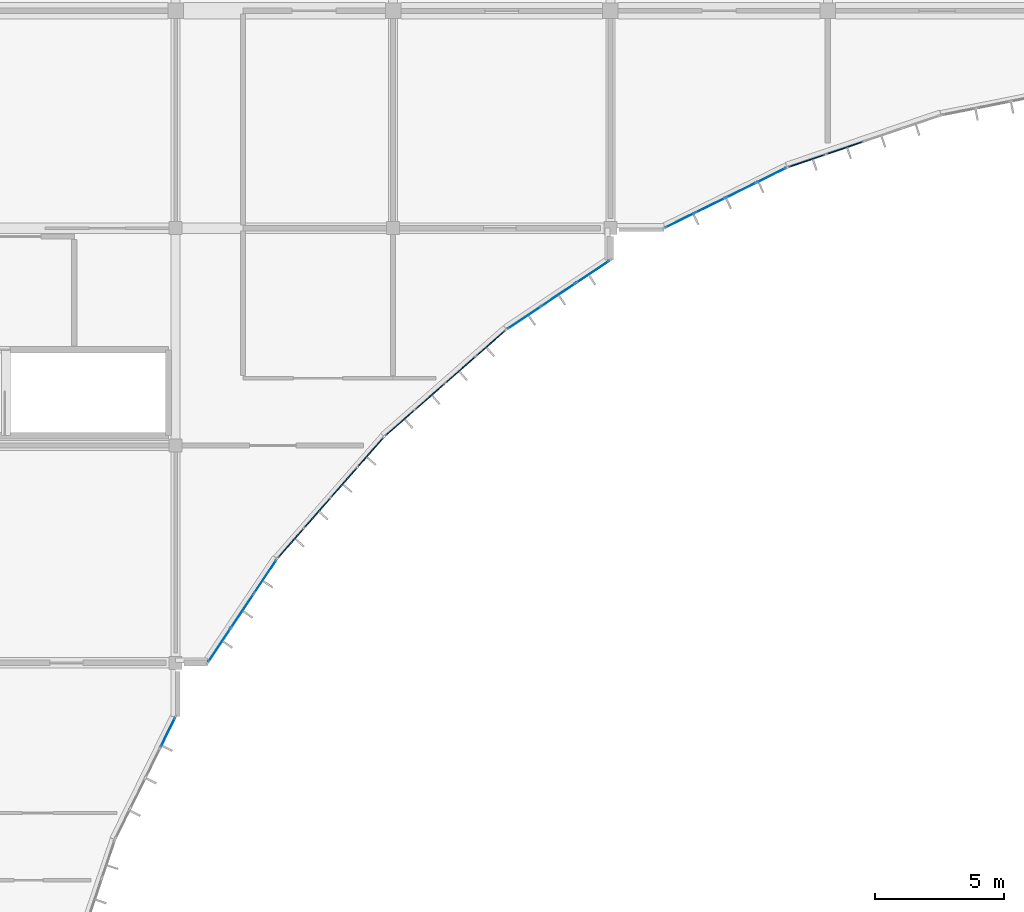
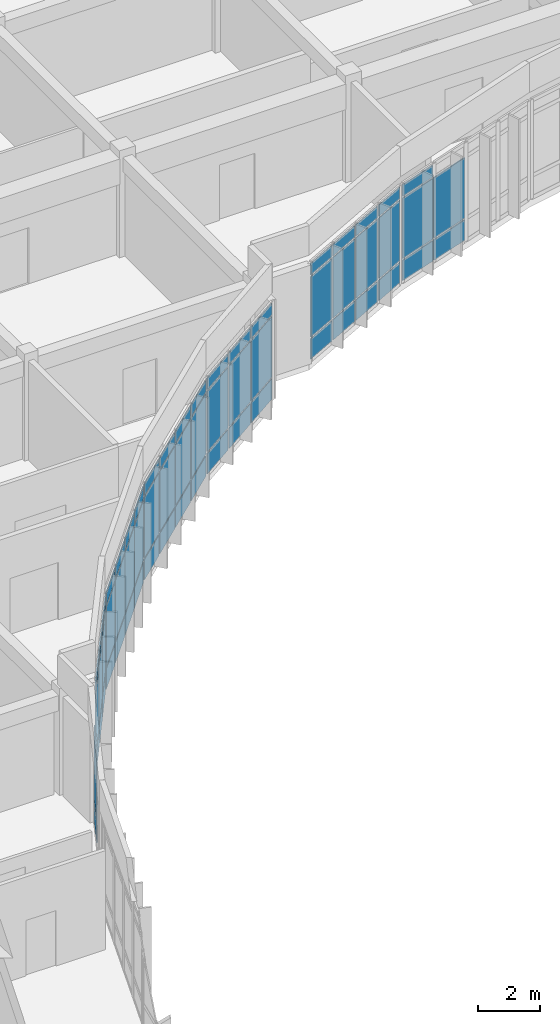
# One storey, part 73 of 119: 62 plates, 7 elements without a shape of their own.
"""IFC4 building model written with IfcOpenShell, lengths in metres."""

from ifc_helpers import new_model, si_unit, direction, frame, origin, origin_2d, place, context, subcontext, project, spatial, rectangle, extrude, material, layer, layer_set, type_object, element, aggregate, save


model = new_model("IFC4")

# Units and contexts
model_context = context("Model", 3, precision=1e-05, world=origin(), true_north=direction((0.0, 1.0)))
body_context = subcontext(model_context, "Body", "Model", "MODEL_VIEW")
ifc_project = project(units=[si_unit("LENGTHUNIT", "METRE"), si_unit("AREAUNIT", "SQUARE_METRE"), si_unit("VOLUMEUNIT", "CUBIC_METRE"), si_unit("PLANEANGLEUNIT", "RADIAN"), si_unit("MASSUNIT", "GRAM", prefix="KILO")], contexts=[model_context])

# Site, building, storey
site_placement = place(None, origin())
site = spatial("IfcSite", under=ifc_project, at=site_placement, CompositionType="ELEMENT")
building_placement = place(site_placement, origin())
building = spatial("IfcBuilding", under=site, at=building_placement, Name="Bramfleet General Hospital", CompositionType="ELEMENT")
storey_placement = place(building_placement, frame((0.0, 0.0, 14.39990234375)))
storey = spatial("IfcBuildingStorey", under=building, at=storey_placement, Name="L03", CompositionType="ELEMENT", Elevation=14.39990234375)

# Curtain wall, plates
ifc_material_1 = material(Name="Anodised aluminium and low-E triple glazing", Category="aluminium")
ifc_layer_1 = layer(ifc_material_1, 0.179931640625, Name="CWT-CW-09")
ifc_layer_set_1 = layer_set([ifc_layer_1], Name="Anodised aluminium and low-E triple glazing")
curtain_wall_type_1 = type_object("IfcCurtainWallType", Name="CWT-CW-09", PredefinedType="USERDEFINED", material=ifc_layer_set_1)
curtain_wall_1_placement = place(storey_placement, origin())
curtain_wall_1 = element("IfcCurtainWall", 1, at=curtain_wall_1_placement, inside=storey, type_object=curtain_wall_type_1, Name="L03 Curtain Wall 153", ObjectType="Unitised curtain wall", PredefinedType="USERDEFINED")
ifc_material_2 = material(Name="Low-E laminated safety glass", Category="glass")
ifc_layer_2 = layer(ifc_material_2, 0.028076171875, Name="CWP-GLZ-1")
ifc_layer_set_2 = layer_set([ifc_layer_2], Name="Low-E laminated safety glass")
plate_type_1 = type_object("IfcPlateType", Name="CWP-GLZ-1", PredefinedType="CURTAIN_PANEL", material=ifc_layer_set_2)
plate_1_placement = place(storey_placement, frame((157.420654296875, 86.044921875, 0.06494140625), z_axis=(0.0, 0.0, 1.0), x_axis=(-0.896864723513, -0.442304948782, 0.0)))
plate_1 = element("IfcPlate", 2, at=plate_1_placement, type_object=plate_type_1, Name="CW-09 panel 1.1", PredefinedType="CURTAIN_PANEL", context=body_context, shape_type="SweptSolid", body=[
    extrude(rectangle(XDim=1.220947265625, YDim=0.028076171875, at=origin_2d()), origin(), (0.0, 0.0, 1.0), 0.802490234375),
])
plate_2_placement = place(storey_placement, frame((157.420654296875, 86.044921875, 0.9326171875), z_axis=(0.0, 0.0, 1.0), x_axis=(-0.896864723513, -0.442304948782, 0.0)))
plate_2 = element("IfcPlate", 3, at=plate_2_placement, type_object=plate_type_1, Name="CW-09 panel 1.2", PredefinedType="CURTAIN_PANEL", context=body_context, shape_type="SweptSolid", body=[
    extrude(rectangle(XDim=1.220947265625, YDim=0.028076171875, at=origin_2d()), origin(), (0.0, 0.0, 1.0), 2.375),
])
plate_3_placement = place(storey_placement, frame((157.420654296875, 86.044921875, 3.37255859375), z_axis=(0.0, 0.0, 1.0), x_axis=(-0.896864723513, -0.442304948782, 0.0)))
plate_3 = element("IfcPlate", 4, at=plate_3_placement, type_object=plate_type_1, Name="CW-09 panel 1.3", PredefinedType="CURTAIN_PANEL", context=body_context, shape_type="SweptSolid", body=[
    extrude(rectangle(XDim=1.220947265625, YDim=0.028076171875, at=origin_2d()), origin(), (0.0, 0.0, 1.0), 0.452392578125),
])
plate_4_placement = place(storey_placement, frame((156.2470703125, 85.46630859375, 0.06494140625), z_axis=(0.0, 0.0, 1.0), x_axis=(-0.896864723513, -0.442304948782, 0.0)))
plate_4 = element("IfcPlate", 5, at=plate_4_placement, type_object=plate_type_1, Name="CW-09 panel 2.1", PredefinedType="CURTAIN_PANEL", context=body_context, shape_type="SweptSolid", body=[
    extrude(rectangle(XDim=1.256103515625, YDim=0.028076171875, at=origin_2d()), origin(), (0.0, 0.0, 1.0), 0.802490234375),
])
plate_5_placement = place(storey_placement, frame((156.2470703125, 85.46630859375, 0.9326171875), z_axis=(0.0, 0.0, 1.0), x_axis=(-0.896864723513, -0.442304948782, 0.0)))
plate_5 = element("IfcPlate", 6, at=plate_5_placement, type_object=plate_type_1, Name="CW-09 panel 2.2", PredefinedType="CURTAIN_PANEL", context=body_context, shape_type="SweptSolid", body=[
    extrude(rectangle(XDim=1.256103515625, YDim=0.028076171875, at=origin_2d()), origin(), (0.0, 0.0, 1.0), 2.375),
])
plate_6_placement = place(storey_placement, frame((156.2470703125, 85.46630859375, 3.37255859375), z_axis=(0.0, 0.0, 1.0), x_axis=(-0.896864723513, -0.442304948782, 0.0)))
plate_6 = element("IfcPlate", 7, at=plate_6_placement, type_object=plate_type_1, Name="CW-09 panel 2.3", PredefinedType="CURTAIN_PANEL", context=body_context, shape_type="SweptSolid", body=[
    extrude(rectangle(XDim=1.256103515625, YDim=0.028076171875, at=origin_2d()), origin(), (0.0, 0.0, 1.0), 0.452392578125),
])
plate_7_placement = place(storey_placement, frame((155.057861328125, 84.879638671875, 0.06494140625), z_axis=(0.0, 0.0, 1.0), x_axis=(-0.896864723513, -0.442304948782, 0.0)))
plate_7 = element("IfcPlate", 8, at=plate_7_placement, type_object=plate_type_1, Name="CW-09 panel 3.1", PredefinedType="CURTAIN_PANEL", context=body_context, shape_type="SweptSolid", body=[
    extrude(rectangle(XDim=1.256103515625, YDim=0.028076171875, at=origin_2d()), origin(), (0.0, 0.0, 1.0), 0.802490234375),
])
plate_8_placement = place(storey_placement, frame((155.057861328125, 84.879638671875, 0.9326171875), z_axis=(0.0, 0.0, 1.0), x_axis=(-0.896864723513, -0.442304948782, 0.0)))
plate_8 = element("IfcPlate", 9, at=plate_8_placement, type_object=plate_type_1, Name="CW-09 panel 3.2", PredefinedType="CURTAIN_PANEL", context=body_context, shape_type="SweptSolid", body=[
    extrude(rectangle(XDim=1.256103515625, YDim=0.028076171875, at=origin_2d()), origin(), (0.0, 0.0, 1.0), 2.375),
])
plate_9_placement = place(storey_placement, frame((155.057861328125, 84.879638671875, 3.37255859375), z_axis=(0.0, 0.0, 1.0), x_axis=(-0.896864723513, -0.442304948782, 0.0)))
plate_9 = element("IfcPlate", 10, at=plate_9_placement, type_object=plate_type_1, Name="CW-09 panel 3.3", PredefinedType="CURTAIN_PANEL", context=body_context, shape_type="SweptSolid", body=[
    extrude(rectangle(XDim=1.256103515625, YDim=0.028076171875, at=origin_2d()), origin(), (0.0, 0.0, 1.0), 0.452392578125),
])
plate_10_placement = place(storey_placement, frame((153.88427734375, 84.301025390625, 0.06494140625), z_axis=(0.0, 0.0, 1.0), x_axis=(-0.896864723513, -0.442304948782, 0.0)))
plate_10 = element("IfcPlate", 11, at=plate_10_placement, type_object=plate_type_1, Name="CW-09 panel 4.1", PredefinedType="CURTAIN_PANEL", context=body_context, shape_type="SweptSolid", body=[
    extrude(rectangle(XDim=1.220947265625, YDim=0.028076171875, at=origin_2d()), origin(), (0.0, 0.0, 1.0), 0.802490234375),
])
plate_11_placement = place(storey_placement, frame((153.88427734375, 84.301025390625, 0.9326171875), z_axis=(0.0, 0.0, 1.0), x_axis=(-0.896864723513, -0.442304948782, 0.0)))
plate_11 = element("IfcPlate", 12, at=plate_11_placement, type_object=plate_type_1, Name="CW-09 panel 4.2", PredefinedType="CURTAIN_PANEL", context=body_context, shape_type="SweptSolid", body=[
    extrude(rectangle(XDim=1.220947265625, YDim=0.028076171875, at=origin_2d()), origin(), (0.0, 0.0, 1.0), 2.375),
])
plate_12_placement = place(storey_placement, frame((153.88427734375, 84.301025390625, 3.37255859375), z_axis=(0.0, 0.0, 1.0), x_axis=(-0.896864723513, -0.442304948782, 0.0)))
plate_12 = element("IfcPlate", 13, at=plate_12_placement, type_object=plate_type_1, Name="CW-09 panel 4.3", PredefinedType="CURTAIN_PANEL", context=body_context, shape_type="SweptSolid", body=[
    extrude(rectangle(XDim=1.220947265625, YDim=0.028076171875, at=origin_2d()), origin(), (0.0, 0.0, 1.0), 0.452392578125),
])
aggregate(curtain_wall_1, [plate_1, plate_2, plate_3, plate_4, plate_5, plate_6, plate_7, plate_8, plate_9, plate_10, plate_11, plate_12])

ifc_layer_3 = layer(ifc_material_1, 0.179931640625, Name="CWT-CW-13")
ifc_layer_set_3 = layer_set([ifc_layer_3], Name="Anodised aluminium and low-E triple glazing")
curtain_wall_type_2 = type_object("IfcCurtainWallType", Name="CWT-CW-13", PredefinedType="USERDEFINED", material=ifc_layer_set_3)
curtain_wall_2_placement = place(storey_placement, origin())
curtain_wall_2 = element("IfcCurtainWall", 14, at=curtain_wall_2_placement, inside=storey, type_object=curtain_wall_type_2, Name="L03 Curtain Wall 157", ObjectType="Stick curtain wall", PredefinedType="USERDEFINED")
plate_13_placement = place(storey_placement, frame((137.861572265625, 70.536376953125, 0.06494140625), z_axis=(0.0, 0.0, 1.0), x_axis=(-0.555463530135, -0.831540898988, 0.0)))
plate_13 = element("IfcPlate", 15, at=plate_13_placement, type_object=plate_type_1, Name="CW-13 panel 1.1", PredefinedType="CURTAIN_PANEL", context=body_context, shape_type="SweptSolid", body=[
    extrude(rectangle(XDim=1.5068359375, YDim=0.028076171875, at=origin_2d()), origin(), (0.0, 0.0, 1.0), 0.802490234375),
])
plate_14_placement = place(storey_placement, frame((137.861572265625, 70.536376953125, 0.9326171875), z_axis=(0.0, 0.0, 1.0), x_axis=(-0.555463530135, -0.831540898988, 0.0)))
plate_14 = element("IfcPlate", 16, at=plate_14_placement, type_object=plate_type_1, Name="CW-13 panel 1.2", PredefinedType="CURTAIN_PANEL", context=body_context, shape_type="SweptSolid", body=[
    extrude(rectangle(XDim=1.5068359375, YDim=0.028076171875, at=origin_2d()), origin(), (0.0, 0.0, 1.0), 2.375),
])
plate_15_placement = place(storey_placement, frame((137.861572265625, 70.536376953125, 3.37255859375), z_axis=(0.0, 0.0, 1.0), x_axis=(-0.555463530135, -0.831540898988, 0.0)))
plate_15 = element("IfcPlate", 17, at=plate_15_placement, type_object=plate_type_1, Name="CW-13 panel 1.3", PredefinedType="CURTAIN_PANEL", context=body_context, shape_type="SweptSolid", body=[
    extrude(rectangle(XDim=1.5068359375, YDim=0.028076171875, at=origin_2d()), origin(), (0.0, 0.0, 1.0), 0.452392578125),
])
plate_16_placement = place(storey_placement, frame((136.97607421875, 69.21044921875, 0.06494140625), z_axis=(0.0, 0.0, 1.0), x_axis=(-0.555463530135, -0.831540898988, 0.0)))
plate_16 = element("IfcPlate", 18, at=plate_16_placement, type_object=plate_type_1, Name="CW-13 panel 2.1", PredefinedType="CURTAIN_PANEL", context=body_context, shape_type="SweptSolid", body=[
    extrude(rectangle(XDim=1.541748046875, YDim=0.028076171875, at=origin_2d()), origin(), (0.0, 0.0, 1.0), 0.802490234375),
])
plate_17_placement = place(storey_placement, frame((136.97607421875, 69.21044921875, 0.9326171875), z_axis=(0.0, 0.0, 1.0), x_axis=(-0.555463530135, -0.831540898988, 0.0)))
plate_17 = element("IfcPlate", 19, at=plate_17_placement, type_object=plate_type_1, Name="CW-13 panel 2.2", PredefinedType="CURTAIN_PANEL", context=body_context, shape_type="SweptSolid", body=[
    extrude(rectangle(XDim=1.541748046875, YDim=0.028076171875, at=origin_2d()), origin(), (0.0, 0.0, 1.0), 2.375),
])
plate_18_placement = place(storey_placement, frame((136.97607421875, 69.21044921875, 3.37255859375), z_axis=(0.0, 0.0, 1.0), x_axis=(-0.555463530135, -0.831540898988, 0.0)))
plate_18 = element("IfcPlate", 20, at=plate_18_placement, type_object=plate_type_1, Name="CW-13 panel 2.3", PredefinedType="CURTAIN_PANEL", context=body_context, shape_type="SweptSolid", body=[
    extrude(rectangle(XDim=1.541748046875, YDim=0.028076171875, at=origin_2d()), origin(), (0.0, 0.0, 1.0), 0.452392578125),
])
plate_19_placement = place(storey_placement, frame((136.09033203125, 67.884765625, 0.06494140625), z_axis=(0.0, 0.0, 1.0), x_axis=(-0.555463530135, -0.831540898988, 0.0)))
plate_19 = element("IfcPlate", 21, at=plate_19_placement, type_object=plate_type_1, Name="CW-13 panel 3.1", PredefinedType="CURTAIN_PANEL", context=body_context, shape_type="SweptSolid", body=[
    extrude(rectangle(XDim=1.5068359375, YDim=0.028076171875, at=origin_2d()), origin(), (0.0, 0.0, 1.0), 0.802490234375),
])
plate_20_placement = place(storey_placement, frame((136.09033203125, 67.884765625, 0.9326171875), z_axis=(0.0, 0.0, 1.0), x_axis=(-0.555463530135, -0.831540898988, 0.0)))
plate_20 = element("IfcPlate", 22, at=plate_20_placement, type_object=plate_type_1, Name="CW-13 panel 3.2", PredefinedType="CURTAIN_PANEL", context=body_context, shape_type="SweptSolid", body=[
    extrude(rectangle(XDim=1.5068359375, YDim=0.028076171875, at=origin_2d()), origin(), (0.0, 0.0, 1.0), 2.375),
])
plate_21_placement = place(storey_placement, frame((136.09033203125, 67.884765625, 3.37255859375), z_axis=(0.0, 0.0, 1.0), x_axis=(-0.555463530135, -0.831540898988, 0.0)))
plate_21 = element("IfcPlate", 23, at=plate_21_placement, type_object=plate_type_1, Name="CW-13 panel 3.3", PredefinedType="CURTAIN_PANEL", context=body_context, shape_type="SweptSolid", body=[
    extrude(rectangle(XDim=1.5068359375, YDim=0.028076171875, at=origin_2d()), origin(), (0.0, 0.0, 1.0), 0.452392578125),
])
aggregate(curtain_wall_2, [plate_13, plate_14, plate_15, plate_16, plate_17, plate_18, plate_19, plate_20, plate_21])

ifc_layer_4 = layer(ifc_material_1, 0.179931640625, Name="CWT-CW-10")
ifc_layer_set_4 = layer_set([ifc_layer_4], Name="Anodised aluminium and low-E triple glazing")
curtain_wall_type_3 = type_object("IfcCurtainWallType", Name="CWT-CW-10", PredefinedType="USERDEFINED", material=ifc_layer_set_4)
curtain_wall_3_placement = place(storey_placement, origin())
curtain_wall_3 = element("IfcCurtainWall", 24, at=curtain_wall_3_placement, inside=storey, type_object=curtain_wall_type_3, Name="L03 Curtain Wall 154", ObjectType="Stick curtain wall", PredefinedType="USERDEFINED")
ifc_layer_5 = layer(ifc_material_2, 0.031982421875, Name="CWP-GLZ-2")
ifc_layer_set_5 = layer_set([ifc_layer_5], Name="Low-E laminated safety glass")
plate_type_2 = type_object("IfcPlateType", Name="CWP-GLZ-2", PredefinedType="CURTAIN_PANEL", material=ifc_layer_set_5)
plate_22_placement = place(storey_placement, frame((150.515380859375, 82.3095703125, 0.06494140625), z_axis=(0.0, 0.0, 1.0), x_axis=(-0.831540898988, -0.555463530135, 0.0)))
plate_22 = element("IfcPlate", 25, at=plate_22_placement, type_object=plate_type_2, Name="CW-10 panel 1.1", PredefinedType="CURTAIN_PANEL", context=body_context, shape_type="SweptSolid", body=[
    extrude(rectangle(XDim=1.5068359375, YDim=0.031982421875, at=origin_2d()), origin(), (0.0, 0.0, 1.0), 0.802490234375),
])
plate_23_placement = place(storey_placement, frame((150.515380859375, 82.3095703125, 0.9326171875), z_axis=(0.0, 0.0, 1.0), x_axis=(-0.831540898988, -0.555463530135, 0.0)))
plate_23 = element("IfcPlate", 26, at=plate_23_placement, type_object=plate_type_2, Name="CW-10 panel 1.2", PredefinedType="CURTAIN_PANEL", context=body_context, shape_type="SweptSolid", body=[
    extrude(rectangle(XDim=1.5068359375, YDim=0.031982421875, at=origin_2d()), origin(), (0.0, 0.0, 1.0), 2.375),
])
plate_24_placement = place(storey_placement, frame((150.515380859375, 82.3095703125, 3.37255859375), z_axis=(0.0, 0.0, 1.0), x_axis=(-0.831540898988, -0.555463530135, 0.0)))
plate_24 = element("IfcPlate", 27, at=plate_24_placement, type_object=plate_type_2, Name="CW-10 panel 1.3", PredefinedType="CURTAIN_PANEL", context=body_context, shape_type="SweptSolid", body=[
    extrude(rectangle(XDim=1.5068359375, YDim=0.031982421875, at=origin_2d()), origin(), (0.0, 0.0, 1.0), 0.452392578125),
])
plate_25_placement = place(storey_placement, frame((149.189453125, 81.424072265625, 0.06494140625), z_axis=(0.0, 0.0, 1.0), x_axis=(-0.831540898988, -0.555463530135, 0.0)))
plate_25 = element("IfcPlate", 28, at=plate_25_placement, type_object=plate_type_2, Name="CW-10 panel 2.1", PredefinedType="CURTAIN_PANEL", context=body_context, shape_type="SweptSolid", body=[
    extrude(rectangle(XDim=1.541748046875, YDim=0.031982421875, at=origin_2d()), origin(), (0.0, 0.0, 1.0), 0.802490234375),
])
plate_26_placement = place(storey_placement, frame((149.189453125, 81.424072265625, 0.9326171875), z_axis=(0.0, 0.0, 1.0), x_axis=(-0.831540898988, -0.555463530135, 0.0)))
plate_26 = element("IfcPlate", 29, at=plate_26_placement, type_object=plate_type_2, Name="CW-10 panel 2.2", PredefinedType="CURTAIN_PANEL", context=body_context, shape_type="SweptSolid", body=[
    extrude(rectangle(XDim=1.541748046875, YDim=0.031982421875, at=origin_2d()), origin(), (0.0, 0.0, 1.0), 2.375),
])
plate_27_placement = place(storey_placement, frame((149.189453125, 81.424072265625, 3.37255859375), z_axis=(0.0, 0.0, 1.0), x_axis=(-0.831540898988, -0.555463530135, 0.0)))
plate_27 = element("IfcPlate", 30, at=plate_27_placement, type_object=plate_type_2, Name="CW-10 panel 2.3", PredefinedType="CURTAIN_PANEL", context=body_context, shape_type="SweptSolid", body=[
    extrude(rectangle(XDim=1.541748046875, YDim=0.031982421875, at=origin_2d()), origin(), (0.0, 0.0, 1.0), 0.452392578125),
])
plate_28_placement = place(storey_placement, frame((147.86376953125, 80.538330078125, 0.06494140625), z_axis=(0.0, 0.0, 1.0), x_axis=(-0.831540898988, -0.555463530135, 0.0)))
plate_28 = element("IfcPlate", 31, at=plate_28_placement, type_object=plate_type_2, Name="CW-10 panel 3.1", PredefinedType="CURTAIN_PANEL", context=body_context, shape_type="SweptSolid", body=[
    extrude(rectangle(XDim=1.5068359375, YDim=0.031982421875, at=origin_2d()), origin(), (0.0, 0.0, 1.0), 0.802490234375),
])
plate_29_placement = place(storey_placement, frame((147.86376953125, 80.538330078125, 0.9326171875), z_axis=(0.0, 0.0, 1.0), x_axis=(-0.831540898988, -0.555463530135, 0.0)))
plate_29 = element("IfcPlate", 32, at=plate_29_placement, type_object=plate_type_2, Name="CW-10 panel 3.2", PredefinedType="CURTAIN_PANEL", context=body_context, shape_type="SweptSolid", body=[
    extrude(rectangle(XDim=1.5068359375, YDim=0.031982421875, at=origin_2d()), origin(), (0.0, 0.0, 1.0), 2.375),
])
plate_30_placement = place(storey_placement, frame((147.86376953125, 80.538330078125, 3.37255859375), z_axis=(0.0, 0.0, 1.0), x_axis=(-0.831540898988, -0.555463530135, 0.0)))
plate_30 = element("IfcPlate", 33, at=plate_30_placement, type_object=plate_type_2, Name="CW-10 panel 3.3", PredefinedType="CURTAIN_PANEL", context=body_context, shape_type="SweptSolid", body=[
    extrude(rectangle(XDim=1.5068359375, YDim=0.031982421875, at=origin_2d()), origin(), (0.0, 0.0, 1.0), 0.452392578125),
])
aggregate(curtain_wall_3, [plate_22, plate_23, plate_24, plate_25, plate_26, plate_27, plate_28, plate_29, plate_30])

ifc_layer_6 = layer(ifc_material_1, 0.179931640625, Name="CWT-CW-14")
ifc_layer_set_6 = layer_set([ifc_layer_6], Name="Anodised aluminium and low-E triple glazing")
curtain_wall_type_4 = type_object("IfcCurtainWallType", Name="CWT-CW-14", PredefinedType="USERDEFINED", material=ifc_layer_set_6)
curtain_wall_4_placement = place(storey_placement, origin())
curtain_wall_4 = element("IfcCurtainWall", 34, at=curtain_wall_4_placement, inside=storey, type_object=curtain_wall_type_4, Name="L03 Curtain Wall 158", ObjectType="Stick curtain wall", PredefinedType="USERDEFINED")
plate_31_placement = place(storey_placement, frame((134.09912109375, 64.515625, 0.06494140625), z_axis=(0.0, 0.0, 1.0), x_axis=(-0.442304948782, -0.896864723513, 0.0)))
plate_31 = element("IfcPlate", 35, at=plate_31_placement, type_object=plate_type_2, Name="CW-14 panel 1.1", PredefinedType="CURTAIN_PANEL", context=body_context, shape_type="SweptSolid", body=[
    extrude(rectangle(XDim=1.220947265625, YDim=0.031982421875, at=origin_2d()), origin(), (0.0, 0.0, 1.0), 0.802490234375),
])
plate_32_placement = place(storey_placement, frame((134.09912109375, 64.515625, 0.9326171875), z_axis=(0.0, 0.0, 1.0), x_axis=(-0.442304948782, -0.896864723513, 0.0)))
plate_32 = element("IfcPlate", 36, at=plate_32_placement, type_object=plate_type_2, Name="CW-14 panel 1.2", PredefinedType="CURTAIN_PANEL", context=body_context, shape_type="SweptSolid", body=[
    extrude(rectangle(XDim=1.220947265625, YDim=0.031982421875, at=origin_2d()), origin(), (0.0, 0.0, 1.0), 2.375),
])
plate_33_placement = place(storey_placement, frame((134.09912109375, 64.515625, 3.37255859375), z_axis=(0.0, 0.0, 1.0), x_axis=(-0.442304948782, -0.896864723513, 0.0)))
plate_33 = element("IfcPlate", 37, at=plate_33_placement, type_object=plate_type_2, Name="CW-14 panel 1.3", PredefinedType="CURTAIN_PANEL", context=body_context, shape_type="SweptSolid", body=[
    extrude(rectangle(XDim=1.220947265625, YDim=0.031982421875, at=origin_2d()), origin(), (0.0, 0.0, 1.0), 0.452392578125),
])
aggregate(curtain_wall_4, [plate_31, plate_32, plate_33])

ifc_layer_7 = layer(ifc_material_1, 0.179931640625, Name="CWT-CW-11")
ifc_layer_set_7 = layer_set([ifc_layer_7], Name="Anodised aluminium and low-E triple glazing")
curtain_wall_type_5 = type_object("IfcCurtainWallType", Name="CWT-CW-11", PredefinedType="USERDEFINED", material=ifc_layer_set_7)
curtain_wall_5_placement = place(storey_placement, origin())
curtain_wall_5 = element("IfcCurtainWall", 38, at=curtain_wall_5_placement, inside=storey, type_object=curtain_wall_type_5, Name="L03 Curtain Wall 155", ObjectType="Stick curtain wall", PredefinedType="USERDEFINED")
ifc_layer_8 = layer(ifc_material_2, 0.035888671875, Name="CWP-GLZ-3")
ifc_layer_set_8 = layer_set([ifc_layer_8], Name="Low-E laminated safety glass")
plate_type_3 = type_object("IfcPlateType", Name="CWP-GLZ-3", PredefinedType="CURTAIN_PANEL", material=ifc_layer_set_8)
plate_34_placement = place(storey_placement, frame((146.575927734375, 79.552001953125, 0.06494140625), z_axis=(0.0, 0.0, 1.0), x_axis=(-0.75178681735, -0.659406233864, 0.0)))
plate_34 = element("IfcPlate", 39, at=plate_34_placement, type_object=plate_type_3, Name="CW-11 panel 1.1", PredefinedType="CURTAIN_PANEL", context=body_context, shape_type="SweptSolid", body=[
    extrude(rectangle(XDim=1.464599609375, YDim=0.035888671875, at=origin_2d()), origin(), (0.0, 0.0, 1.0), 0.802490234375),
])
plate_35_placement = place(storey_placement, frame((146.575927734375, 79.552001953125, 0.9326171875), z_axis=(0.0, 0.0, 1.0), x_axis=(-0.75178681735, -0.659406233864, 0.0)))
plate_35 = element("IfcPlate", 40, at=plate_35_placement, type_object=plate_type_3, Name="CW-11 panel 1.2", PredefinedType="CURTAIN_PANEL", context=body_context, shape_type="SweptSolid", body=[
    extrude(rectangle(XDim=1.464599609375, YDim=0.035888671875, at=origin_2d()), origin(), (0.0, 0.0, 1.0), 2.375),
])
plate_36_placement = place(storey_placement, frame((146.575927734375, 79.552001953125, 3.37255859375), z_axis=(0.0, 0.0, 1.0), x_axis=(-0.75178681735, -0.659406233864, 0.0)))
plate_36 = element("IfcPlate", 41, at=plate_36_placement, type_object=plate_type_3, Name="CW-11 panel 1.3", PredefinedType="CURTAIN_PANEL", context=body_context, shape_type="SweptSolid", body=[
    extrude(rectangle(XDim=1.464599609375, YDim=0.035888671875, at=origin_2d()), origin(), (0.0, 0.0, 1.0), 0.452392578125),
])
plate_37_placement = place(storey_placement, frame((145.408935546875, 78.528564453125, 0.06494140625), z_axis=(0.0, 0.0, 1.0), x_axis=(-0.75178681735, -0.659406233864, 0.0)))
plate_37 = element("IfcPlate", 42, at=plate_37_placement, type_object=plate_type_3, Name="CW-11 panel 2.1", PredefinedType="CURTAIN_PANEL", context=body_context, shape_type="SweptSolid", body=[
    extrude(rectangle(XDim=1.49951171875, YDim=0.035888671875, at=origin_2d()), origin(), (0.0, 0.0, 1.0), 0.802490234375),
])
plate_38_placement = place(storey_placement, frame((145.408935546875, 78.528564453125, 0.9326171875), z_axis=(0.0, 0.0, 1.0), x_axis=(-0.75178681735, -0.659406233864, 0.0)))
plate_38 = element("IfcPlate", 43, at=plate_38_placement, type_object=plate_type_3, Name="CW-11 panel 2.2", PredefinedType="CURTAIN_PANEL", context=body_context, shape_type="SweptSolid", body=[
    extrude(rectangle(XDim=1.49951171875, YDim=0.035888671875, at=origin_2d()), origin(), (0.0, 0.0, 1.0), 2.375),
])
plate_39_placement = place(storey_placement, frame((145.408935546875, 78.528564453125, 3.37255859375), z_axis=(0.0, 0.0, 1.0), x_axis=(-0.75178681735, -0.659406233864, 0.0)))
plate_39 = element("IfcPlate", 44, at=plate_39_placement, type_object=plate_type_3, Name="CW-11 panel 2.3", PredefinedType="CURTAIN_PANEL", context=body_context, shape_type="SweptSolid", body=[
    extrude(rectangle(XDim=1.49951171875, YDim=0.035888671875, at=origin_2d()), origin(), (0.0, 0.0, 1.0), 0.452392578125),
])
plate_40_placement = place(storey_placement, frame((144.22900390625, 77.493408203125, 0.06494140625), z_axis=(0.0, 0.0, 1.0), x_axis=(-0.75178681735, -0.659406233864, 0.0)))
plate_40 = element("IfcPlate", 45, at=plate_40_placement, type_object=plate_type_3, Name="CW-11 panel 3.1", PredefinedType="CURTAIN_PANEL", context=body_context, shape_type="SweptSolid", body=[
    extrude(rectangle(XDim=1.49951171875, YDim=0.035888671875, at=origin_2d()), origin(), (0.0, 0.0, 1.0), 0.802490234375),
])
plate_41_placement = place(storey_placement, frame((144.22900390625, 77.493408203125, 0.9326171875), z_axis=(0.0, 0.0, 1.0), x_axis=(-0.75178681735, -0.659406233864, 0.0)))
plate_41 = element("IfcPlate", 46, at=plate_41_placement, type_object=plate_type_3, Name="CW-11 panel 3.2", PredefinedType="CURTAIN_PANEL", context=body_context, shape_type="SweptSolid", body=[
    extrude(rectangle(XDim=1.49951171875, YDim=0.035888671875, at=origin_2d()), origin(), (0.0, 0.0, 1.0), 2.375),
])
plate_42_placement = place(storey_placement, frame((144.22900390625, 77.493408203125, 3.37255859375), z_axis=(0.0, 0.0, 1.0), x_axis=(-0.75178681735, -0.659406233864, 0.0)))
plate_42 = element("IfcPlate", 47, at=plate_42_placement, type_object=plate_type_3, Name="CW-11 panel 3.3", PredefinedType="CURTAIN_PANEL", context=body_context, shape_type="SweptSolid", body=[
    extrude(rectangle(XDim=1.49951171875, YDim=0.035888671875, at=origin_2d()), origin(), (0.0, 0.0, 1.0), 0.452392578125),
])
plate_43_placement = place(storey_placement, frame((143.062255859375, 76.469970703125, 0.06494140625), z_axis=(0.0, 0.0, 1.0), x_axis=(-0.75178681735, -0.659406233864, 0.0)))
plate_43 = element("IfcPlate", 48, at=plate_43_placement, type_object=plate_type_3, Name="CW-11 panel 4.1", PredefinedType="CURTAIN_PANEL", context=body_context, shape_type="SweptSolid", body=[
    extrude(rectangle(XDim=1.464599609375, YDim=0.035888671875, at=origin_2d()), origin(), (0.0, 0.0, 1.0), 0.802490234375),
])
plate_44_placement = place(storey_placement, frame((143.062255859375, 76.469970703125, 0.9326171875), z_axis=(0.0, 0.0, 1.0), x_axis=(-0.75178681735, -0.659406233864, 0.0)))
plate_44 = element("IfcPlate", 49, at=plate_44_placement, type_object=plate_type_3, Name="CW-11 panel 4.2", PredefinedType="CURTAIN_PANEL", context=body_context, shape_type="SweptSolid", body=[
    extrude(rectangle(XDim=1.464599609375, YDim=0.035888671875, at=origin_2d()), origin(), (0.0, 0.0, 1.0), 2.375),
])
plate_45_placement = place(storey_placement, frame((143.062255859375, 76.469970703125, 3.37255859375), z_axis=(0.0, 0.0, 1.0), x_axis=(-0.75178681735, -0.659406233864, 0.0)))
plate_45 = element("IfcPlate", 50, at=plate_45_placement, type_object=plate_type_3, Name="CW-11 panel 4.3", PredefinedType="CURTAIN_PANEL", context=body_context, shape_type="SweptSolid", body=[
    extrude(rectangle(XDim=1.464599609375, YDim=0.035888671875, at=origin_2d()), origin(), (0.0, 0.0, 1.0), 0.452392578125),
])
aggregate(curtain_wall_5, [plate_34, plate_35, plate_36, plate_37, plate_38, plate_39, plate_40, plate_41, plate_42, plate_43, plate_44, plate_45])

ifc_layer_9 = layer(ifc_material_1, 0.179931640625, Name="CWT-CW-08")
ifc_layer_set_9 = layer_set([ifc_layer_9], Name="Anodised aluminium and low-E triple glazing")
curtain_wall_type_6 = type_object("IfcCurtainWallType", Name="CWT-CW-08", PredefinedType="USERDEFINED", material=ifc_layer_set_9)
curtain_wall_6_placement = place(storey_placement, origin())
curtain_wall_6 = element("IfcCurtainWall", 51, at=curtain_wall_6_placement, inside=storey, type_object=curtain_wall_type_6, Name="L03 Curtain Wall 152", ObjectType="Unitised curtain wall", PredefinedType="USERDEFINED")
ifc_layer_10 = layer(ifc_material_2, 0.0419921875, Name="CWP-GLZ-4")
ifc_layer_set_10 = layer_set([ifc_layer_10], Name="Low-E laminated safety glass")
plate_type_4 = type_object("IfcPlateType", Name="CWP-GLZ-4", PredefinedType="CURTAIN_PANEL", material=ifc_layer_set_10)
plate_46_placement = place(storey_placement, frame((160.2607421875, 87.102783203125, 0.06494140625), z_axis=(0.0, 0.0, 1.0), x_axis=(-0.946949276617, -0.321383054181, 0.0)))
plate_46 = element("IfcPlate", 52, at=plate_46_placement, type_object=plate_type_4, Name="CW-08 panel 3.1", PredefinedType="CURTAIN_PANEL", context=body_context, shape_type="SweptSolid", body=[
    extrude(rectangle(XDim=1.499755859375, YDim=0.0419921875, at=origin_2d()), origin(), (0.0, 0.0, 1.0), 0.802490234375),
])
plate_47_placement = place(storey_placement, frame((160.2607421875, 87.102783203125, 0.9326171875), z_axis=(0.0, 0.0, 1.0), x_axis=(-0.946949276617, -0.321383054181, 0.0)))
plate_47 = element("IfcPlate", 53, at=plate_47_placement, type_object=plate_type_4, Name="CW-08 panel 3.2", PredefinedType="CURTAIN_PANEL", context=body_context, shape_type="SweptSolid", body=[
    extrude(rectangle(XDim=1.499755859375, YDim=0.0419921875, at=origin_2d()), origin(), (0.0, 0.0, 1.0), 2.375),
])
plate_48_placement = place(storey_placement, frame((158.790771484375, 86.603759765625, 0.06494140625), z_axis=(0.0, 0.0, 1.0), x_axis=(-0.946949276617, -0.321383054181, 0.0)))
plate_48 = element("IfcPlate", 54, at=plate_48_placement, type_object=plate_type_4, Name="CW-08 panel 4.1", PredefinedType="CURTAIN_PANEL", context=body_context, shape_type="SweptSolid", body=[
    extrude(rectangle(XDim=1.46484375, YDim=0.0419921875, at=origin_2d()), origin(), (0.0, 0.0, 1.0), 0.802490234375),
])
plate_49_placement = place(storey_placement, frame((158.790771484375, 86.603759765625, 0.9326171875), z_axis=(0.0, 0.0, 1.0), x_axis=(-0.946949276617, -0.321383054181, 0.0)))
plate_49 = element("IfcPlate", 55, at=plate_49_placement, type_object=plate_type_4, Name="CW-08 panel 4.2", PredefinedType="CURTAIN_PANEL", context=body_context, shape_type="SweptSolid", body=[
    extrude(rectangle(XDim=1.46484375, YDim=0.0419921875, at=origin_2d()), origin(), (0.0, 0.0, 1.0), 2.375),
])
plate_50_placement = place(storey_placement, frame((158.790771484375, 86.603759765625, 3.37255859375), z_axis=(0.0, 0.0, 1.0), x_axis=(-0.946949276617, -0.321383054181, 0.0)))
plate_50 = element("IfcPlate", 56, at=plate_50_placement, type_object=plate_type_4, Name="CW-08 panel 4.3", PredefinedType="CURTAIN_PANEL", context=body_context, shape_type="SweptSolid", body=[
    extrude(rectangle(XDim=1.46484375, YDim=0.0419921875, at=origin_2d()), origin(), (0.0, 0.0, 1.0), 0.452392578125),
])
aggregate(curtain_wall_6, [plate_46, plate_47, plate_48, plate_49, plate_50])

ifc_layer_11 = layer(ifc_material_1, 0.179931640625, Name="CWT-CW-12")
ifc_layer_set_11 = layer_set([ifc_layer_11], Name="Anodised aluminium and low-E triple glazing")
curtain_wall_type_7 = type_object("IfcCurtainWallType", Name="CWT-CW-12", PredefinedType="USERDEFINED", material=ifc_layer_set_11)
curtain_wall_7_placement = place(storey_placement, origin())
curtain_wall_7 = element("IfcCurtainWall", 57, at=curtain_wall_7_placement, inside=storey, type_object=curtain_wall_type_7, Name="L03 Curtain Wall 156", ObjectType="Stick curtain wall", PredefinedType="USERDEFINED")
plate_51_placement = place(storey_placement, frame((141.929931640625, 75.337890625, 0.06494140625), z_axis=(0.0, 0.0, 1.0), x_axis=(-0.659406233864, -0.75178681735, 0.0)))
plate_51 = element("IfcPlate", 58, at=plate_51_placement, type_object=plate_type_4, Name="CW-12 panel 1.1", PredefinedType="CURTAIN_PANEL", context=body_context, shape_type="SweptSolid", body=[
    extrude(rectangle(XDim=1.464599609375, YDim=0.0419921875, at=origin_2d()), origin(), (0.0, 0.0, 1.0), 0.802490234375),
])
plate_52_placement = place(storey_placement, frame((141.929931640625, 75.337890625, 0.9326171875), z_axis=(0.0, 0.0, 1.0), x_axis=(-0.659406233864, -0.75178681735, 0.0)))
plate_52 = element("IfcPlate", 59, at=plate_52_placement, type_object=plate_type_4, Name="CW-12 panel 1.2", PredefinedType="CURTAIN_PANEL", context=body_context, shape_type="SweptSolid", body=[
    extrude(rectangle(XDim=1.464599609375, YDim=0.0419921875, at=origin_2d()), origin(), (0.0, 0.0, 1.0), 2.375),
])
plate_53_placement = place(storey_placement, frame((141.929931640625, 75.337890625, 3.37255859375), z_axis=(0.0, 0.0, 1.0), x_axis=(-0.659406233864, -0.75178681735, 0.0)))
plate_53 = element("IfcPlate", 60, at=plate_53_placement, type_object=plate_type_4, Name="CW-12 panel 1.3", PredefinedType="CURTAIN_PANEL", context=body_context, shape_type="SweptSolid", body=[
    extrude(rectangle(XDim=1.464599609375, YDim=0.0419921875, at=origin_2d()), origin(), (0.0, 0.0, 1.0), 0.452392578125),
])
plate_54_placement = place(storey_placement, frame((140.906494140625, 74.1708984375, 0.06494140625), z_axis=(0.0, 0.0, 1.0), x_axis=(-0.659406233864, -0.75178681735, 0.0)))
plate_54 = element("IfcPlate", 61, at=plate_54_placement, type_object=plate_type_4, Name="CW-12 panel 2.1", PredefinedType="CURTAIN_PANEL", context=body_context, shape_type="SweptSolid", body=[
    extrude(rectangle(XDim=1.49951171875, YDim=0.0419921875, at=origin_2d()), origin(), (0.0, 0.0, 1.0), 0.802490234375),
])
plate_55_placement = place(storey_placement, frame((140.906494140625, 74.1708984375, 0.9326171875), z_axis=(0.0, 0.0, 1.0), x_axis=(-0.659406233864, -0.75178681735, 0.0)))
plate_55 = element("IfcPlate", 62, at=plate_55_placement, type_object=plate_type_4, Name="CW-12 panel 2.2", PredefinedType="CURTAIN_PANEL", context=body_context, shape_type="SweptSolid", body=[
    extrude(rectangle(XDim=1.49951171875, YDim=0.0419921875, at=origin_2d()), origin(), (0.0, 0.0, 1.0), 2.375),
])
plate_56_placement = place(storey_placement, frame((140.906494140625, 74.1708984375, 3.37255859375), z_axis=(0.0, 0.0, 1.0), x_axis=(-0.659406233864, -0.75178681735, 0.0)))
plate_56 = element("IfcPlate", 63, at=plate_56_placement, type_object=plate_type_4, Name="CW-12 panel 2.3", PredefinedType="CURTAIN_PANEL", context=body_context, shape_type="SweptSolid", body=[
    extrude(rectangle(XDim=1.49951171875, YDim=0.0419921875, at=origin_2d()), origin(), (0.0, 0.0, 1.0), 0.452392578125),
])
plate_57_placement = place(storey_placement, frame((139.87158203125, 72.990966796875, 0.06494140625), z_axis=(0.0, 0.0, 1.0), x_axis=(-0.659406233864, -0.75178681735, 0.0)))
plate_57 = element("IfcPlate", 64, at=plate_57_placement, type_object=plate_type_4, Name="CW-12 panel 3.1", PredefinedType="CURTAIN_PANEL", context=body_context, shape_type="SweptSolid", body=[
    extrude(rectangle(XDim=1.49951171875, YDim=0.0419921875, at=origin_2d()), origin(), (0.0, 0.0, 1.0), 0.802490234375),
])
plate_58_placement = place(storey_placement, frame((139.87158203125, 72.990966796875, 0.9326171875), z_axis=(0.0, 0.0, 1.0), x_axis=(-0.659406233864, -0.75178681735, 0.0)))
plate_58 = element("IfcPlate", 65, at=plate_58_placement, type_object=plate_type_4, Name="CW-12 panel 3.2", PredefinedType="CURTAIN_PANEL", context=body_context, shape_type="SweptSolid", body=[
    extrude(rectangle(XDim=1.49951171875, YDim=0.0419921875, at=origin_2d()), origin(), (0.0, 0.0, 1.0), 2.375),
])
plate_59_placement = place(storey_placement, frame((139.87158203125, 72.990966796875, 3.37255859375), z_axis=(0.0, 0.0, 1.0), x_axis=(-0.659406233864, -0.75178681735, 0.0)))
plate_59 = element("IfcPlate", 66, at=plate_59_placement, type_object=plate_type_4, Name="CW-12 panel 3.3", PredefinedType="CURTAIN_PANEL", context=body_context, shape_type="SweptSolid", body=[
    extrude(rectangle(XDim=1.49951171875, YDim=0.0419921875, at=origin_2d()), origin(), (0.0, 0.0, 1.0), 0.452392578125),
])
plate_60_placement = place(storey_placement, frame((138.84814453125, 71.82421875, 0.06494140625), z_axis=(0.0, 0.0, 1.0), x_axis=(-0.659406233864, -0.75178681735, 0.0)))
plate_60 = element("IfcPlate", 67, at=plate_60_placement, type_object=plate_type_4, Name="CW-12 panel 4.1", PredefinedType="CURTAIN_PANEL", context=body_context, shape_type="SweptSolid", body=[
    extrude(rectangle(XDim=1.464599609375, YDim=0.0419921875, at=origin_2d()), origin(), (0.0, 0.0, 1.0), 0.802490234375),
])
plate_61_placement = place(storey_placement, frame((138.84814453125, 71.82421875, 0.9326171875), z_axis=(0.0, 0.0, 1.0), x_axis=(-0.659406233864, -0.75178681735, 0.0)))
plate_61 = element("IfcPlate", 68, at=plate_61_placement, type_object=plate_type_4, Name="CW-12 panel 4.2", PredefinedType="CURTAIN_PANEL", context=body_context, shape_type="SweptSolid", body=[
    extrude(rectangle(XDim=1.464599609375, YDim=0.0419921875, at=origin_2d()), origin(), (0.0, 0.0, 1.0), 2.375),
])
plate_62_placement = place(storey_placement, frame((138.84814453125, 71.82421875, 3.37255859375), z_axis=(0.0, 0.0, 1.0), x_axis=(-0.659406233864, -0.75178681735, 0.0)))
plate_62 = element("IfcPlate", 69, at=plate_62_placement, type_object=plate_type_4, Name="CW-12 panel 4.3", PredefinedType="CURTAIN_PANEL", context=body_context, shape_type="SweptSolid", body=[
    extrude(rectangle(XDim=1.464599609375, YDim=0.0419921875, at=origin_2d()), origin(), (0.0, 0.0, 1.0), 0.452392578125),
])
aggregate(curtain_wall_7, [plate_51, plate_52, plate_53, plate_54, plate_55, plate_56, plate_57, plate_58, plate_59, plate_60, plate_61, plate_62])

save(model, "model.ifc")
